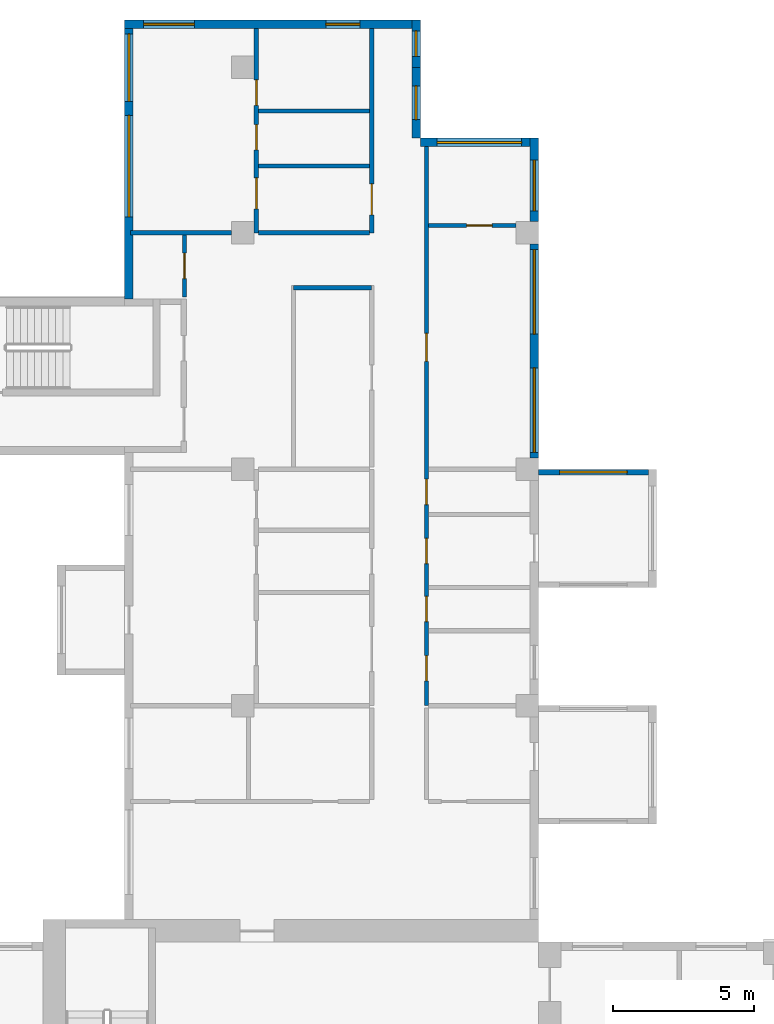
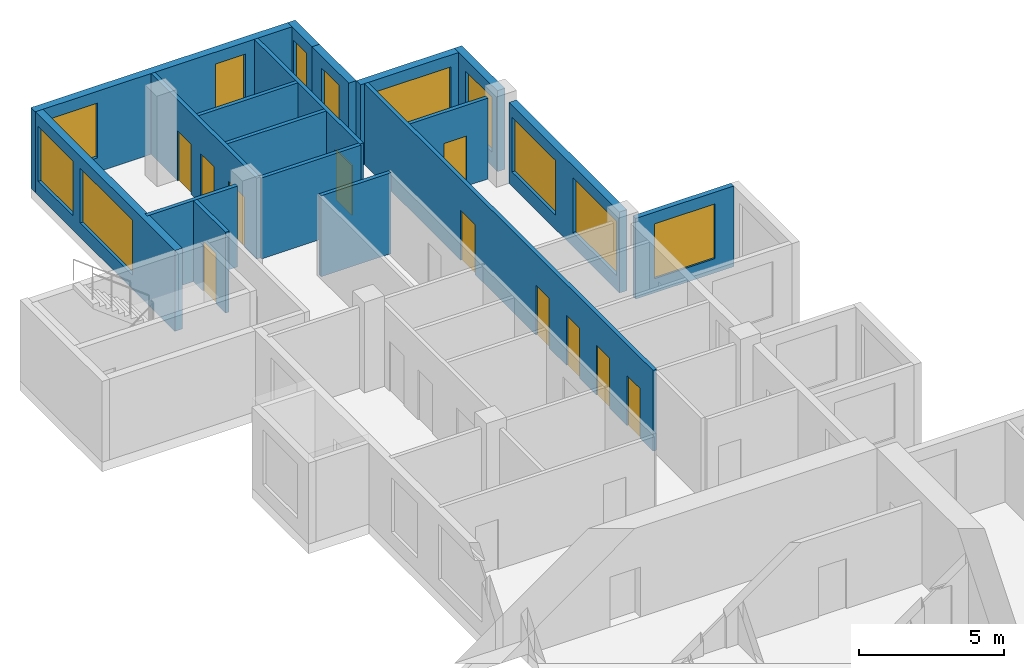
# One storey, part 7 of 11: 18 walls, 11 doors, 11 windows, 22 openings.
"""IFC4 building model written with IfcOpenShell, lengths in metres."""

from ifc_helpers import new_model, si_unit, direction, frame, frame_2d, origin, place, context, subcontext, project, spatial, rectangle, extrude, source, transform, mapped, material, layer, layer_set, type_object, element, fill, save


model = new_model("IFC4")

# Units and contexts
model_context = context("Model", 3, precision=1e-05, world=origin(), true_north=direction((0.0, 1.0)))
body_context = subcontext(model_context, "Body", "Model", "MODEL_VIEW")
ifc_project = project(units=[si_unit("LENGTHUNIT", "METRE"), si_unit("AREAUNIT", "SQUARE_METRE"), si_unit("VOLUMEUNIT", "CUBIC_METRE"), si_unit("PLANEANGLEUNIT", "RADIAN"), si_unit("MASSUNIT", "GRAM", prefix="KILO")], contexts=[model_context])

# Site, building, storey
site_placement = place(None, origin())
site = spatial("IfcSite", under=ifc_project, at=site_placement, CompositionType="ELEMENT")
building_placement = place(site_placement, origin())
building = spatial("IfcBuilding", under=site, at=building_placement, Name="Aurelian Terraces", CompositionType="ELEMENT")
storey_placement = place(building_placement, frame((0.0, 0.0, 257.6)))
storey = spatial("IfcBuildingStorey", under=building, at=storey_placement, Name="L59", CompositionType="ELEMENT", Elevation=257.6)

# Wall, opening, window
ifc_material_1 = material(Name="Terracotta rainscreen cladding", Category="masonry")
ifc_layer_1 = layer(ifc_material_1, 0.3)
ifc_layer_set_1 = layer_set([ifc_layer_1], Name="EW-300")
wall_type_1 = type_object("IfcWallType", Name="EW-300", PredefinedType="STANDARD", material=ifc_layer_set_1)
shared_shape_1 = source(origin(), body_context, "Body", "SweptSolid", [
    extrude(rectangle(XDim=4.2, YDim=0.3, at=frame_2d((2.1, 0.0))), origin(), (0.0, 0.0, 1.0), 3.4),
])
wall_1_placement = place(storey_placement, frame((21.0, 49.41, 0.0), z_axis=(0.0, 0.0, 1.0), x_axis=(-1.0, 0.0, 0.0)))
wall_1 = element("IfcWall", 1, at=wall_1_placement, inside=storey, type_object=wall_type_1, Name="External wall L59 F13.24", PredefinedType="STANDARD", context=body_context, shape_type="MappedRepresentation", body=[
    mapped(shared_shape_1, transform((0.0, 0.0, 0.0), scale=1.0)),
])
shared_shape_2 = source(origin(), body_context, "Body", "SweptSolid", [
    extrude(rectangle(XDim=3.0, YDim=2.3, at=frame_2d((1.5, 1.15))), frame((0.0, 0.16, 0.0), z_axis=(0.0, -1.0, 0.0), x_axis=(1.0, 0.0, 0.0)), (0.0, 0.0, 1.0), 0.32),
])
opening_1_placement = place(wall_1_placement, frame((0.6, 0.0, 0.6)))
opening_1 = element("IfcOpeningElement", 2, at=opening_1_placement, cuts=wall_1, Name="Opening W3023", PredefinedType="OPENING", context=body_context, shape_type="MappedRepresentation", body=[
    mapped(shared_shape_2, transform((0.0, 0.0, 0.0), scale=1.0)),
])
ifc_material_2 = material(Name="Clear glazing", Category="glass")
window_type_1 = type_object("IfcWindowType", Name="W-3000x2300", PartitioningType="SINGLE_PANEL", PredefinedType="WINDOW", material=ifc_material_2)
shared_shape_3 = source(origin(), body_context, "Body", "SweptSolid", [
    extrude(rectangle(XDim=3.0, YDim=2.3, at=frame_2d((1.5, 1.15))), frame((0.0, 0.03, 0.0), z_axis=(0.0, -1.0, 0.0), x_axis=(1.0, 0.0, 0.0)), (0.0, 0.0, 1.0), 0.06),
])
window_1_placement = place(opening_1_placement, origin())
window_1 = element("IfcWindow", 3, at=window_1_placement, inside=storey, type_object=window_type_1, Name="Window L59 L59-F13-24-0", OverallHeight=2.3, OverallWidth=3.0, PartitioningType="SINGLE_PANEL", PredefinedType="WINDOW", context=body_context, shape_type="MappedRepresentation", body=[
    mapped(shared_shape_3, transform((0.0, 0.0, 0.0), scale=1.0)),
])
fill(opening_1, window_1)

shared_shape_4 = source(origin(), body_context, "Body", "SweptSolid", [
    extrude(rectangle(XDim=2.52, YDim=0.3, at=frame_2d((1.26, 0.0))), origin(), (0.0, 0.0, 1.0), 3.4),
])
wall_2_placement = place(storey_placement, frame((16.65, 49.56, 0.0), z_axis=(0.0, 0.0, 1.0), x_axis=(0.0, 1.0, 0.0)))
wall_2 = element("IfcWall", 4, at=wall_2_placement, inside=storey, type_object=wall_type_1, Name="External wall L59 F14.25", PredefinedType="STANDARD", context=body_context, shape_type="MappedRepresentation", body=[
    mapped(shared_shape_4, transform((0.0, 0.0, 0.0), scale=1.0)),
])
shared_shape_5 = source(origin(), body_context, "Body", "SweptSolid", [
    extrude(rectangle(XDim=1.2, YDim=2.3, at=frame_2d((0.6, 1.15))), frame((0.0, 0.16, 0.0), z_axis=(0.0, -1.0, 0.0), x_axis=(1.0, 0.0, 0.0)), (0.0, 0.0, 1.0), 0.32),
])
opening_2_placement = place(wall_2_placement, frame((0.66, 0.0, 0.6)))
opening_2 = element("IfcOpeningElement", 5, at=opening_2_placement, cuts=wall_2, Name="Opening W1223", PredefinedType="OPENING", context=body_context, shape_type="MappedRepresentation", body=[
    mapped(shared_shape_5, transform((0.0, 0.0, 0.0), scale=1.0)),
])
window_type_2 = type_object("IfcWindowType", Name="W-1200x2300", PartitioningType="SINGLE_PANEL", PredefinedType="WINDOW", material=ifc_material_2)
shared_shape_6 = source(origin(), body_context, "Body", "SweptSolid", [
    extrude(rectangle(XDim=1.2, YDim=2.3, at=frame_2d((0.6, 1.15))), frame((0.0, 0.03, 0.0), z_axis=(0.0, -1.0, 0.0), x_axis=(1.0, 0.0, 0.0)), (0.0, 0.0, 1.0), 0.06),
])
window_2_placement = place(opening_2_placement, origin())
window_2 = element("IfcWindow", 6, at=window_2_placement, inside=storey, type_object=window_type_2, Name="Window L59 L59-F14-25-0", OverallHeight=2.3, OverallWidth=1.2, PartitioningType="SINGLE_PANEL", PredefinedType="WINDOW", context=body_context, shape_type="MappedRepresentation", body=[
    mapped(shared_shape_6, transform((0.0, 0.0, 0.0), scale=1.0)),
])
fill(opening_2, window_2)

shared_shape_7 = source(origin(), body_context, "Body", "SweptSolid", [
    extrude(rectangle(XDim=1.68, YDim=0.3, at=frame_2d((0.84, 0.0))), origin(), (0.0, 0.0, 1.0), 3.4),
])
wall_3_placement = place(storey_placement, frame((16.65, 52.08, 0.0), z_axis=(0.0, 0.0, 1.0), x_axis=(0.0, 1.0, 0.0)))
wall_3 = element("IfcWall", 7, at=wall_3_placement, inside=storey, type_object=wall_type_1, Name="External wall L59 F14.26", PredefinedType="STANDARD", context=body_context, shape_type="MappedRepresentation", body=[
    mapped(shared_shape_7, transform((0.0, 0.0, 0.0), scale=1.0)),
])
shared_shape_8 = source(origin(), body_context, "Body", "SweptSolid", [
    extrude(rectangle(XDim=0.9, YDim=2.3, at=frame_2d((0.45, 1.15))), frame((0.0, 0.16, 0.0), z_axis=(0.0, -1.0, 0.0), x_axis=(1.0, 0.0, 0.0)), (0.0, 0.0, 1.0), 0.32),
])
opening_3_placement = place(wall_3_placement, frame((0.39, 0.0, 0.6)))
opening_3 = element("IfcOpeningElement", 8, at=opening_3_placement, cuts=wall_3, Name="Opening W0923", PredefinedType="OPENING", context=body_context, shape_type="MappedRepresentation", body=[
    mapped(shared_shape_8, transform((0.0, 0.0, 0.0), scale=1.0)),
])
window_type_3 = type_object("IfcWindowType", Name="W-900x2300", PartitioningType="SINGLE_PANEL", PredefinedType="WINDOW", material=ifc_material_2)
shared_shape_9 = source(origin(), body_context, "Body", "SweptSolid", [
    extrude(rectangle(XDim=0.9, YDim=2.3, at=frame_2d((0.45, 1.15))), frame((0.0, 0.03, 0.0), z_axis=(0.0, -1.0, 0.0), x_axis=(1.0, 0.0, 0.0)), (0.0, 0.0, 1.0), 0.06),
])
window_3_placement = place(opening_3_placement, origin())
window_3 = element("IfcWindow", 9, at=window_3_placement, inside=storey, type_object=window_type_3, Name="Window L59 L59-F14-26-P0", OverallHeight=2.3, OverallWidth=0.9, PartitioningType="SINGLE_PANEL", PredefinedType="WINDOW", context=body_context, shape_type="MappedRepresentation", body=[
    mapped(shared_shape_9, transform((0.0, 0.0, 0.0), scale=1.0)),
])
fill(opening_3, window_3)

ifc_material_3 = material(Name="Concrete fc' 40 MPa", Category="concrete")
ifc_layer_2 = layer(ifc_material_3, 0.2)
ifc_layer_set_2 = layer_set([ifc_layer_2], Name="BOX BEARING WALL 200")
wall_type_2 = type_object("IfcWallType", Name="BOX BEARING WALL 200", PredefinedType="SOLIDWALL", material=ifc_layer_set_2)
shared_shape_10 = source(origin(), body_context, "Body", "SweptSolid", [
    extrude(rectangle(XDim=3.9, YDim=0.2, at=frame_2d((1.95, 0.0))), origin(), (0.0, 0.0, 1.0), 3.39),
])
wall_4_placement = place(storey_placement, frame((21.0, 37.7, 0.0), z_axis=(0.0, 0.0, 1.0), x_axis=(1.0, 0.0, 0.0)))
wall_4 = element("IfcWall", 10, at=wall_4_placement, inside=storey, type_object=wall_type_2, Name="Box return L59 J87.2", PredefinedType="SOLIDWALL", context=body_context, shape_type="MappedRepresentation", body=[
    mapped(shared_shape_10, transform((0.0, 0.0, 0.0), scale=1.0)),
])
shared_shape_11 = source(origin(), body_context, "Body", "SweptSolid", [
    extrude(rectangle(XDim=2.4, YDim=2.3, at=frame_2d((1.2, 1.15))), frame((0.0, 0.11, 0.0), z_axis=(0.0, -1.0, 0.0), x_axis=(1.0, 0.0, 0.0)), (0.0, 0.0, 1.0), 0.22),
])
opening_4_placement = place(wall_4_placement, frame((0.75, 0.0, 0.6)))
opening_4 = element("IfcOpeningElement", 11, at=opening_4_placement, cuts=wall_4, Name="Opening W2423", PredefinedType="OPENING", context=body_context, shape_type="MappedRepresentation", body=[
    mapped(shared_shape_11, transform((0.0, 0.0, 0.0), scale=1.0)),
])
window_type_4 = type_object("IfcWindowType", Name="W-2400x2300", PartitioningType="SINGLE_PANEL", PredefinedType="WINDOW", material=ifc_material_2)
shared_shape_12 = source(origin(), body_context, "Body", "SweptSolid", [
    extrude(rectangle(XDim=2.4, YDim=2.3, at=frame_2d((1.2, 1.15))), frame((0.0, 0.03, 0.0), z_axis=(0.0, -1.0, 0.0), x_axis=(1.0, 0.0, 0.0)), (0.0, 0.0, 1.0), 0.06),
])
window_4_placement = place(opening_4_placement, origin())
window_4 = element("IfcWindow", 12, at=window_4_placement, inside=storey, type_object=window_type_4, Name="Window L59 J87-S2", OverallHeight=2.3, OverallWidth=2.4, PartitioningType="SINGLE_PANEL", PredefinedType="WINDOW", context=body_context, shape_type="MappedRepresentation", body=[
    mapped(shared_shape_12, transform((0.0, 0.0, 0.0), scale=1.0)),
])
fill(opening_4, window_4)

# Wall, openings, windows
shared_shape_13 = source(origin(), body_context, "Body", "SweptSolid", [
    extrude(rectangle(XDim=10.5, YDim=0.3, at=frame_2d((5.25, 0.0))), origin(), (0.0, 0.0, 1.0), 3.4),
])
wall_5_placement = place(storey_placement, frame((16.8, 53.61, 0.0), z_axis=(0.0, 0.0, 1.0), x_axis=(-1.0, 0.0, 0.0)))
wall_5 = element("IfcWall", 13, at=wall_5_placement, inside=storey, type_object=wall_type_1, Name="External wall L59 F15.27", PredefinedType="STANDARD", context=body_context, shape_type="MappedRepresentation", body=[
    mapped(shared_shape_13, transform((0.0, 0.0, 0.0), scale=1.0)),
])
opening_5_placement = place(wall_5_placement, frame((2.15, 0.0, 0.6)))
opening_5 = element("IfcOpeningElement", 14, at=opening_5_placement, cuts=wall_5, Name="Opening W1223", PredefinedType="OPENING", context=body_context, shape_type="MappedRepresentation", body=[
    mapped(shared_shape_5, transform((0.0, 0.0, 0.0), scale=1.0)),
])
shared_shape_14 = source(origin(), body_context, "Body", "SweptSolid", [
    extrude(rectangle(XDim=1.8, YDim=2.3, at=frame_2d((0.9, 1.15))), frame((0.0, 0.16, 0.0), z_axis=(0.0, -1.0, 0.0), x_axis=(1.0, 0.0, 0.0)), (0.0, 0.0, 1.0), 0.32),
])
opening_6_placement = place(wall_5_placement, frame((8.025, 0.0, 0.6)))
opening_6 = element("IfcOpeningElement", 15, at=opening_6_placement, cuts=wall_5, Name="Opening W1823", PredefinedType="OPENING", context=body_context, shape_type="MappedRepresentation", body=[
    mapped(shared_shape_14, transform((0.0, 0.0, 0.0), scale=1.0)),
])
window_5_placement = place(opening_5_placement, origin())
window_5 = element("IfcWindow", 16, at=window_5_placement, inside=storey, type_object=window_type_2, Name="Window L59 L59-F15-27-0", OverallHeight=2.3, OverallWidth=1.2, PartitioningType="SINGLE_PANEL", PredefinedType="WINDOW", context=body_context, shape_type="MappedRepresentation", body=[
    mapped(shared_shape_6, transform((0.0, 0.0, 0.0), scale=1.0)),
])
fill(opening_5, window_5)
window_type_5 = type_object("IfcWindowType", Name="W-1800x2300", PartitioningType="SINGLE_PANEL", PredefinedType="WINDOW", material=ifc_material_2)
shared_shape_15 = source(origin(), body_context, "Body", "SweptSolid", [
    extrude(rectangle(XDim=1.8, YDim=2.3, at=frame_2d((0.9, 1.15))), frame((0.0, 0.03, 0.0), z_axis=(0.0, -1.0, 0.0), x_axis=(1.0, 0.0, 0.0)), (0.0, 0.0, 1.0), 0.06),
])
window_6_placement = place(opening_6_placement, origin())
window_6 = element("IfcWindow", 17, at=window_6_placement, inside=storey, type_object=window_type_5, Name="Window L59 L59-F15-27-2", OverallHeight=2.3, OverallWidth=1.8, PartitioningType="SINGLE_PANEL", PredefinedType="WINDOW", context=body_context, shape_type="MappedRepresentation", body=[
    mapped(shared_shape_15, transform((0.0, 0.0, 0.0), scale=1.0)),
])
fill(opening_6, window_6)

shared_shape_16 = source(origin(), body_context, "Body", "SweptSolid", [
    extrude(rectangle(XDim=9.91, YDim=0.3, at=frame_2d((4.955, 0.0))), origin(), (0.0, 0.0, 1.0), 3.4),
])
wall_6_placement = place(storey_placement, frame((6.45, 53.76, 0.0), z_axis=(0.0, 0.0, 1.0), x_axis=(0.0, -1.0, 0.0)))
wall_6 = element("IfcWall", 18, at=wall_6_placement, inside=storey, type_object=wall_type_1, Name="External wall L59 F16.28", PredefinedType="STANDARD", context=body_context, shape_type="MappedRepresentation", body=[
    mapped(shared_shape_16, transform((0.0, 0.0, 0.0), scale=1.0)),
])
shared_shape_17 = source(origin(), body_context, "Body", "SweptSolid", [
    extrude(rectangle(XDim=3.6, YDim=2.3, at=frame_2d((1.8, 1.15))), frame((0.0, 0.16, 0.0), z_axis=(0.0, -1.0, 0.0), x_axis=(1.0, 0.0, 0.0)), (0.0, 0.0, 1.0), 0.32),
])
opening_7_placement = place(wall_6_placement, frame((3.39, 0.0, 0.6)))
opening_7 = element("IfcOpeningElement", 19, at=opening_7_placement, cuts=wall_6, Name="Opening W3623", PredefinedType="OPENING", context=body_context, shape_type="MappedRepresentation", body=[
    mapped(shared_shape_17, transform((0.0, 0.0, 0.0), scale=1.0)),
])
shared_shape_18 = source(origin(), body_context, "Body", "SweptSolid", [
    extrude(rectangle(XDim=2.4, YDim=2.3, at=frame_2d((1.2, 1.15))), frame((0.0, 0.16, 0.0), z_axis=(0.0, -1.0, 0.0), x_axis=(1.0, 0.0, 0.0)), (0.0, 0.0, 1.0), 0.32),
])
opening_8_placement = place(wall_6_placement, frame((0.495, 0.0, 0.6)))
opening_8 = element("IfcOpeningElement", 20, at=opening_8_placement, cuts=wall_6, Name="Opening W2423", PredefinedType="OPENING", context=body_context, shape_type="MappedRepresentation", body=[
    mapped(shared_shape_18, transform((0.0, 0.0, 0.0), scale=1.0)),
])
window_type_6 = type_object("IfcWindowType", Name="W-3600x2300", PartitioningType="SINGLE_PANEL", PredefinedType="WINDOW", material=ifc_material_2)
shared_shape_19 = source(origin(), body_context, "Body", "SweptSolid", [
    extrude(rectangle(XDim=3.6, YDim=2.3, at=frame_2d((1.8, 1.15))), frame((0.0, 0.03, 0.0), z_axis=(0.0, -1.0, 0.0), x_axis=(1.0, 0.0, 0.0)), (0.0, 0.0, 1.0), 0.06),
])
window_7_placement = place(opening_7_placement, origin())
window_7 = element("IfcWindow", 21, at=window_7_placement, inside=storey, type_object=window_type_6, Name="Window L59 L59-F16-28-1", OverallHeight=2.3, OverallWidth=3.6, PartitioningType="SINGLE_PANEL", PredefinedType="WINDOW", context=body_context, shape_type="MappedRepresentation", body=[
    mapped(shared_shape_19, transform((0.0, 0.0, 0.0), scale=1.0)),
])
fill(opening_7, window_7)
window_8_placement = place(opening_8_placement, origin())
window_8 = element("IfcWindow", 22, at=window_8_placement, inside=storey, type_object=window_type_4, Name="Window L59 L59-F16-28-G0-0", OverallHeight=2.3, OverallWidth=2.4, PartitioningType="SINGLE_PANEL", PredefinedType="WINDOW", context=body_context, shape_type="MappedRepresentation", body=[
    mapped(shared_shape_12, transform((0.0, 0.0, 0.0), scale=1.0)),
])
fill(opening_8, window_8)

shared_shape_20 = source(origin(), body_context, "Body", "SweptSolid", [
    extrude(rectangle(XDim=7.6, YDim=0.3, at=frame_2d((3.8, 0.0))), origin(), (0.0, 0.0, 1.0), 3.4),
])
wall_7_placement = place(storey_placement, frame((20.85, 38.2, 0.0), z_axis=(0.0, 0.0, 1.0), x_axis=(0.0, 1.0, 0.0)))
wall_7 = element("IfcWall", 23, at=wall_7_placement, inside=storey, type_object=wall_type_1, Name="External wall L59 F12.22", PredefinedType="STANDARD", context=body_context, shape_type="MappedRepresentation", body=[
    mapped(shared_shape_20, transform((0.0, 0.0, 0.0), scale=1.0)),
])
opening_9_placement = place(wall_7_placement, frame((0.2, 0.0, 0.6)))
opening_9 = element("IfcOpeningElement", 24, at=opening_9_placement, cuts=wall_7, Name="Opening W3023", PredefinedType="OPENING", context=body_context, shape_type="MappedRepresentation", body=[
    mapped(shared_shape_2, transform((0.0, 0.0, 0.0), scale=1.0)),
])
opening_10_placement = place(wall_7_placement, frame((4.4, 0.0, 0.6)))
opening_10 = element("IfcOpeningElement", 25, at=opening_10_placement, cuts=wall_7, Name="Opening W3023", PredefinedType="OPENING", context=body_context, shape_type="MappedRepresentation", body=[
    mapped(shared_shape_2, transform((0.0, 0.0, 0.0), scale=1.0)),
])
window_9_placement = place(opening_9_placement, origin())
window_9 = element("IfcWindow", 26, at=window_9_placement, inside=storey, type_object=window_type_1, Name="Window L59 L59-F12-22-0", OverallHeight=2.3, OverallWidth=3.0, PartitioningType="SINGLE_PANEL", PredefinedType="WINDOW", context=body_context, shape_type="MappedRepresentation", body=[
    mapped(shared_shape_3, transform((0.0, 0.0, 0.0), scale=1.0)),
])
fill(opening_9, window_9)
window_10_placement = place(opening_10_placement, origin())
window_10 = element("IfcWindow", 27, at=window_10_placement, inside=storey, type_object=window_type_1, Name="Window L59 L59-F12-22-1", OverallHeight=2.3, OverallWidth=3.0, PartitioningType="SINGLE_PANEL", PredefinedType="WINDOW", context=body_context, shape_type="MappedRepresentation", body=[
    mapped(shared_shape_3, transform((0.0, 0.0, 0.0), scale=1.0)),
])
fill(opening_10, window_10)

# Wall, opening, window
shared_shape_21 = source(origin(), body_context, "Body", "SweptSolid", [
    extrude(rectangle(XDim=2.96, YDim=0.3, at=frame_2d((1.48, 0.0))), origin(), (0.0, 0.0, 1.0), 3.4),
])
wall_8_placement = place(storey_placement, frame((20.85, 46.6, 0.0), z_axis=(0.0, 0.0, 1.0), x_axis=(0.0, 1.0, 0.0)))
wall_8 = element("IfcWall", 28, at=wall_8_placement, inside=storey, type_object=wall_type_1, Name="External wall L59 F12.23", PredefinedType="STANDARD", context=body_context, shape_type="MappedRepresentation", body=[
    mapped(shared_shape_21, transform((0.0, 0.0, 0.0), scale=1.0)),
])
opening_11_placement = place(wall_8_placement, frame((0.38, 0.0, 0.6)))
opening_11 = element("IfcOpeningElement", 29, at=opening_11_placement, cuts=wall_8, Name="Opening W1823", PredefinedType="OPENING", context=body_context, shape_type="MappedRepresentation", body=[
    mapped(shared_shape_14, transform((0.0, 0.0, 0.0), scale=1.0)),
])
window_11_placement = place(opening_11_placement, origin())
window_11 = element("IfcWindow", 30, at=window_11_placement, inside=storey, type_object=window_type_5, Name="Window L59 L59-F12-23-0", OverallHeight=2.3, OverallWidth=1.8, PartitioningType="SINGLE_PANEL", PredefinedType="WINDOW", context=body_context, shape_type="MappedRepresentation", body=[
    mapped(shared_shape_15, transform((0.0, 0.0, 0.0), scale=1.0)),
])
fill(opening_11, window_11)

# Wall, opening, door
ifc_material_4 = material(Name="Gypsum board on steel studs", Category="steel")
ifc_layer_3 = layer(ifc_material_4, 0.15)
ifc_layer_set_3 = layer_set([ifc_layer_3], Name="Partition 150")
wall_type_3 = type_object("IfcWallType", Name="Partition 150", PredefinedType="PARTITIONING", material=ifc_layer_set_3)
shared_shape_22 = source(origin(), body_context, "Body", "SweptSolid", [
    extrude(rectangle(XDim=2.2, YDim=0.15, at=frame_2d((1.1, 0.0))), origin(), (0.0, 0.0, 1.0), 3.4),
])
wall_9_placement = place(storey_placement, frame((8.425, 43.925, 0.0), z_axis=(0.0, 0.0, 1.0), x_axis=(0.0, 1.0, 0.0)))
wall_9 = element("IfcWall", 31, at=wall_9_placement, inside=storey, type_object=wall_type_3, Name="Partition", PredefinedType="PARTITIONING", context=body_context, shape_type="MappedRepresentation", body=[
    mapped(shared_shape_22, transform((0.0, 0.0, 0.0), scale=1.0)),
])
shared_shape_23 = source(origin(), body_context, "Body", "SweptSolid", [
    extrude(rectangle(XDim=0.9, YDim=2.1, at=frame_2d((0.45, 1.05))), frame((0.0, 0.085, 0.0), z_axis=(0.0, -1.0, 0.0), x_axis=(1.0, 0.0, 0.0)), (0.0, 0.0, 1.0), 0.17),
])
opening_12_placement = place(wall_9_placement, frame((0.65, 0.0, 0.0)))
opening_12 = element("IfcOpeningElement", 32, at=opening_12_placement, cuts=wall_9, Name="Opening 759019", PredefinedType="OPENING", context=body_context, shape_type="MappedRepresentation", body=[
    mapped(shared_shape_23, transform((0.0, 0.0, 0.0), scale=1.0)),
])
ifc_material_5 = material(Name="Timber door leaf", Category="wood")
door_type_1 = type_object("IfcDoorType", Name="Room door 900x2100 left", OperationType="SINGLE_SWING_LEFT", PredefinedType="DOOR", material=ifc_material_5)
shared_shape_24 = source(origin(), body_context, "Body", "SweptSolid", [
    extrude(rectangle(XDim=0.9, YDim=2.1, at=frame_2d((0.45, 1.05))), frame((0.0, 0.025, 0.0), z_axis=(0.0, -1.0, 0.0), x_axis=(1.0, 0.0, 0.0)), (0.0, 0.0, 1.0), 0.05),
])
door_1_placement = place(opening_12_placement, origin())
door_1 = element("IfcDoor", 33, at=door_1_placement, inside=storey, type_object=door_type_1, Name="Door 759019", OperationType="SINGLE_SWING_LEFT", OverallHeight=2.1, OverallWidth=0.9, PredefinedType="DOOR", context=body_context, shape_type="MappedRepresentation", body=[
    mapped(shared_shape_24, transform((0.0, 0.0, 0.0), scale=1.0)),
])
fill(opening_12, door_1)

# Wall, openings, doors
shared_shape_25 = source(origin(), body_context, "Body", "SweptSolid", [
    extrude(rectangle(XDim=7.26, YDim=0.15, at=frame_2d((3.63, 0.0))), origin(), (0.0, 0.0, 1.0), 3.4),
])
wall_10_placement = place(storey_placement, frame((10.975, 46.2, 0.0), z_axis=(0.0, 0.0, 1.0), x_axis=(0.0, 1.0, 0.0)))
wall_10 = element("IfcWall", 34, at=wall_10_placement, inside=storey, type_object=wall_type_3, Name="Partition", PredefinedType="PARTITIONING", context=body_context, shape_type="MappedRepresentation", body=[
    mapped(shared_shape_25, transform((0.0, 0.0, 0.0), scale=1.0)),
])
shared_shape_26 = source(origin(), body_context, "Body", "SweptSolid", [
    extrude(rectangle(XDim=1.1, YDim=2.1, at=frame_2d((0.55, 1.05))), frame((0.0, 0.085, 0.0), z_axis=(0.0, -1.0, 0.0), x_axis=(1.0, 0.0, 0.0)), (0.0, 0.0, 1.0), 0.17),
])
opening_13_placement = place(wall_10_placement, frame((0.8474, 0.0, 0.0)))
opening_13 = element("IfcOpeningElement", 35, at=opening_13_placement, cuts=wall_10, Name="Opening 759026", PredefinedType="OPENING", context=body_context, shape_type="MappedRepresentation", body=[
    mapped(shared_shape_26, transform((0.0, 0.0, 0.0), scale=1.0)),
])
opening_14_placement = place(wall_10_placement, frame((2.9464, 0.0, 0.0)))
opening_14 = element("IfcOpeningElement", 36, at=opening_14_placement, cuts=wall_10, Name="Opening 759027", PredefinedType="OPENING", context=body_context, shape_type="MappedRepresentation", body=[
    mapped(shared_shape_23, transform((0.0, 0.0, 0.0), scale=1.0)),
])
opening_15_placement = place(wall_10_placement, frame((4.529, 0.0, 0.0)))
opening_15 = element("IfcOpeningElement", 37, at=opening_15_placement, cuts=wall_10, Name="Opening 759028", PredefinedType="OPENING", context=body_context, shape_type="MappedRepresentation", body=[
    mapped(shared_shape_23, transform((0.0, 0.0, 0.0), scale=1.0)),
])
door_type_2 = type_object("IfcDoorType", Name="Room door 900x2100 right", OperationType="SINGLE_SWING_RIGHT", PredefinedType="DOOR", material=ifc_material_5)
door_2_placement = place(opening_14_placement, origin())
door_2 = element("IfcDoor", 38, at=door_2_placement, inside=storey, type_object=door_type_2, Name="Door 759027", OperationType="SINGLE_SWING_RIGHT", OverallHeight=2.1, OverallWidth=0.9, PredefinedType="DOOR", context=body_context, shape_type="MappedRepresentation", body=[
    mapped(shared_shape_24, transform((0.0, 0.0, 0.0), scale=1.0)),
])
fill(opening_14, door_2)
door_3_placement = place(opening_15_placement, origin())
door_3 = element("IfcDoor", 39, at=door_3_placement, inside=storey, type_object=door_type_1, Name="Door 759028", OperationType="SINGLE_SWING_LEFT", OverallHeight=2.1, OverallWidth=0.9, PredefinedType="DOOR", context=body_context, shape_type="MappedRepresentation", body=[
    mapped(shared_shape_24, transform((0.0, 0.0, 0.0), scale=1.0)),
])
fill(opening_15, door_3)
door_type_3 = type_object("IfcDoorType", Name="Room door 1100x2100 left", OperationType="SINGLE_SWING_LEFT", PredefinedType="DOOR", material=ifc_material_5)
shared_shape_27 = source(origin(), body_context, "Body", "SweptSolid", [
    extrude(rectangle(XDim=1.1, YDim=2.1, at=frame_2d((0.55, 1.05))), frame((0.0, 0.025, 0.0), z_axis=(0.0, -1.0, 0.0), x_axis=(1.0, 0.0, 0.0)), (0.0, 0.0, 1.0), 0.05),
])
door_4_placement = place(opening_13_placement, origin())
door_4 = element("IfcDoor", 40, at=door_4_placement, inside=storey, type_object=door_type_3, Name="Door 759026", OperationType="SINGLE_SWING_LEFT", OverallHeight=2.1, OverallWidth=1.1, PredefinedType="DOOR", context=body_context, shape_type="MappedRepresentation", body=[
    mapped(shared_shape_27, transform((0.0, 0.0, 0.0), scale=1.0)),
])
fill(opening_13, door_4)

# Wall, opening, door
ifc_layer_4 = layer(ifc_material_4, 0.15)
ifc_layer_set_4 = layer_set([ifc_layer_4], Name="Fire partition 150")
wall_type_4 = type_object("IfcWallType", Name="Fire partition 150", PredefinedType="PARTITIONING", material=ifc_layer_set_4)
wall_11_placement = place(storey_placement, frame((15.075, 46.2, 0.0), z_axis=(0.0, 0.0, 1.0), x_axis=(0.0, 1.0, 0.0)))
wall_11 = element("IfcWall", 41, at=wall_11_placement, inside=storey, type_object=wall_type_4, Name="Corridor wall", PredefinedType="PARTITIONING", context=body_context, shape_type="MappedRepresentation", body=[
    mapped(shared_shape_25, transform((0.0, 0.0, 0.0), scale=1.0)),
])
opening_16_placement = place(wall_11_placement, frame((0.6349, 0.0, 0.0)))
opening_16 = element("IfcOpeningElement", 42, at=opening_16_placement, cuts=wall_11, Name="Opening 759025", PredefinedType="OPENING", context=body_context, shape_type="MappedRepresentation", body=[
    mapped(shared_shape_26, transform((0.0, 0.0, 0.0), scale=1.0)),
])
ifc_material_6 = material(Name="Steel door leaf", Category="steel")
door_type_4 = type_object("IfcDoorType", Name="Entrance fire door 1100x2100 right", OperationType="SINGLE_SWING_RIGHT", PredefinedType="DOOR", material=ifc_material_6)
door_5_placement = place(opening_16_placement, origin())
door_5 = element("IfcDoor", 43, at=door_5_placement, inside=storey, type_object=door_type_4, Name="Door 759025", OperationType="SINGLE_SWING_RIGHT", OverallHeight=2.1, OverallWidth=1.1, PredefinedType="DOOR", context=body_context, shape_type="MappedRepresentation", body=[
    mapped(shared_shape_27, transform((0.0, 0.0, 0.0), scale=1.0)),
])
fill(opening_16, door_5)

# Wall, openings, doors
shared_shape_28 = source(origin(), body_context, "Body", "SweptSolid", [
    extrude(rectangle(XDim=19.86, YDim=0.15, at=frame_2d((9.93, 0.0))), origin(), (0.0, 0.0, 1.0), 3.4),
])
wall_12_placement = place(storey_placement, frame((17.025, 49.26, 0.0), z_axis=(0.0, 0.0, 1.0), x_axis=(0.0, -1.0, 0.0)))
wall_12 = element("IfcWall", 44, at=wall_12_placement, inside=storey, type_object=wall_type_4, Name="Corridor wall", PredefinedType="PARTITIONING", context=body_context, shape_type="MappedRepresentation", body=[
    mapped(shared_shape_28, transform((0.0, 0.0, 0.0), scale=1.0)),
])
opening_17_placement = place(wall_12_placement, frame((18.0765, 0.0, 0.0)))
opening_17 = element("IfcOpeningElement", 45, at=opening_17_placement, cuts=wall_12, Name="Opening 759029", PredefinedType="OPENING", context=body_context, shape_type="MappedRepresentation", body=[
    mapped(shared_shape_23, transform((0.0, 0.0, 0.0), scale=1.0)),
])
opening_18_placement = place(wall_12_placement, frame((15.9765, 0.0, 0.0)))
opening_18 = element("IfcOpeningElement", 46, at=opening_18_placement, cuts=wall_12, Name="Opening 759030", PredefinedType="OPENING", context=body_context, shape_type="MappedRepresentation", body=[
    mapped(shared_shape_23, transform((0.0, 0.0, 0.0), scale=1.0)),
])
opening_19_placement = place(wall_12_placement, frame((13.913, 0.0, 0.0)))
opening_19 = element("IfcOpeningElement", 47, at=opening_19_placement, cuts=wall_12, Name="Opening 759031", PredefinedType="OPENING", context=body_context, shape_type="MappedRepresentation", body=[
    mapped(shared_shape_23, transform((0.0, 0.0, 0.0), scale=1.0)),
])
opening_20_placement = place(wall_12_placement, frame((11.813, 0.0, 0.0)))
opening_20 = element("IfcOpeningElement", 48, at=opening_20_placement, cuts=wall_12, Name="Opening 759032", PredefinedType="OPENING", context=body_context, shape_type="MappedRepresentation", body=[
    mapped(shared_shape_23, transform((0.0, 0.0, 0.0), scale=1.0)),
])
shared_shape_29 = source(origin(), body_context, "Body", "SweptSolid", [
    extrude(rectangle(XDim=1.0, YDim=2.1, at=frame_2d((0.5, 1.05))), frame((0.0, 0.085, 0.0), z_axis=(0.0, -1.0, 0.0), x_axis=(1.0, 0.0, 0.0)), (0.0, 0.0, 1.0), 0.17),
])
opening_21_placement = place(wall_12_placement, frame((6.63, 0.0, 0.0)))
opening_21 = element("IfcOpeningElement", 49, at=opening_21_placement, cuts=wall_12, Name="Opening 759033", PredefinedType="OPENING", context=body_context, shape_type="MappedRepresentation", body=[
    mapped(shared_shape_29, transform((0.0, 0.0, 0.0), scale=1.0)),
])
door_type_5 = type_object("IfcDoorType", Name="Entrance fire door 1000x2100 right", OperationType="SINGLE_SWING_RIGHT", PredefinedType="DOOR", material=ifc_material_6)
shared_shape_30 = source(origin(), body_context, "Body", "SweptSolid", [
    extrude(rectangle(XDim=1.0, YDim=2.1, at=frame_2d((0.5, 1.05))), frame((0.0, 0.025, 0.0), z_axis=(0.0, -1.0, 0.0), x_axis=(1.0, 0.0, 0.0)), (0.0, 0.0, 1.0), 0.05),
])
door_6_placement = place(opening_21_placement, origin())
door_6 = element("IfcDoor", 50, at=door_6_placement, inside=storey, type_object=door_type_5, Name="Door 759033", OperationType="SINGLE_SWING_RIGHT", OverallHeight=2.1, OverallWidth=1.0, PredefinedType="DOOR", context=body_context, shape_type="MappedRepresentation", body=[
    mapped(shared_shape_30, transform((0.0, 0.0, 0.0), scale=1.0)),
])
fill(opening_21, door_6)
door_type_6 = type_object("IfcDoorType", Name="Entrance fire door 900x2100 right", OperationType="SINGLE_SWING_RIGHT", PredefinedType="DOOR", material=ifc_material_6)
door_7_placement = place(opening_17_placement, origin())
door_7 = element("IfcDoor", 51, at=door_7_placement, inside=storey, type_object=door_type_6, Name="Door 759029", OperationType="SINGLE_SWING_RIGHT", OverallHeight=2.1, OverallWidth=0.9, PredefinedType="DOOR", context=body_context, shape_type="MappedRepresentation", body=[
    mapped(shared_shape_24, transform((0.0, 0.0, 0.0), scale=1.0)),
])
fill(opening_17, door_7)
door_type_7 = type_object("IfcDoorType", Name="Entrance fire door 900x2100 left", OperationType="SINGLE_SWING_LEFT", PredefinedType="DOOR", material=ifc_material_6)
door_8_placement = place(opening_18_placement, origin())
door_8 = element("IfcDoor", 52, at=door_8_placement, inside=storey, type_object=door_type_7, Name="Door 759030", OperationType="SINGLE_SWING_LEFT", OverallHeight=2.1, OverallWidth=0.9, PredefinedType="DOOR", context=body_context, shape_type="MappedRepresentation", body=[
    mapped(shared_shape_24, transform((0.0, 0.0, 0.0), scale=1.0)),
])
fill(opening_18, door_8)
door_9_placement = place(opening_19_placement, origin())
door_9 = element("IfcDoor", 53, at=door_9_placement, inside=storey, type_object=door_type_6, Name="Door 759031", OperationType="SINGLE_SWING_RIGHT", OverallHeight=2.1, OverallWidth=0.9, PredefinedType="DOOR", context=body_context, shape_type="MappedRepresentation", body=[
    mapped(shared_shape_24, transform((0.0, 0.0, 0.0), scale=1.0)),
])
fill(opening_19, door_9)
door_10_placement = place(opening_20_placement, origin())
door_10 = element("IfcDoor", 54, at=door_10_placement, inside=storey, type_object=door_type_7, Name="Door 759032", OperationType="SINGLE_SWING_LEFT", OverallHeight=2.1, OverallWidth=0.9, PredefinedType="DOOR", context=body_context, shape_type="MappedRepresentation", body=[
    mapped(shared_shape_24, transform((0.0, 0.0, 0.0), scale=1.0)),
])
fill(opening_20, door_10)

# Walls
shared_shape_31 = source(origin(), body_context, "Body", "SweptSolid", [
    extrude(rectangle(XDim=2.775, YDim=0.15, at=frame_2d((1.3875, 0.0))), origin(), (0.0, 0.0, 1.0), 3.4),
])
wall_13_placement = place(storey_placement, frame((15.075, 44.25, 0.0), z_axis=(0.0, 0.0, 1.0), x_axis=(-1.0, 0.0, 0.0)))
element("IfcWall", 55, at=wall_13_placement, inside=storey, type_object=wall_type_3, Name="Partition", PredefinedType="PARTITIONING", context=body_context, shape_type="MappedRepresentation", body=[
    mapped(shared_shape_31, transform((0.0, 0.0, 0.0), scale=1.0)),
])
shared_shape_32 = source(origin(), body_context, "Body", "SweptSolid", [
    extrude(rectangle(XDim=3.95, YDim=0.15, at=frame_2d((1.975, 0.0))), origin(), (0.0, 0.0, 1.0), 3.4),
])
for number, where, z_axis, x_axis, name in (
    (56, (15.0, 48.5699, 0.0), (0.0, 0.0, 1.0), (-1.0, 0.0, 0.0), "Partition"),
    (57, (15.0, 50.5229, 0.0), (0.0, 0.0, 1.0), (-1.0, 0.0, 0.0), "Partition"),
):
    element("IfcWall", number, at=place(storey_placement, frame(where, z_axis=z_axis, x_axis=x_axis)), inside=storey, type_object=wall_type_3, Name=name, PredefinedType="PARTITIONING", context=body_context, shape_type="MappedRepresentation", body=[
        mapped(shared_shape_32, transform((0.0, 0.0, 0.0), scale=1.0)),
    ])
wall_14_placement = place(storey_placement, frame((15.0, 46.2, 0.0), z_axis=(0.0, 0.0, 1.0), x_axis=(-1.0, 0.0, 0.0)))
element("IfcWall", 58, at=wall_14_placement, inside=storey, type_object=wall_type_4, Name="Party wall", PredefinedType="PARTITIONING", context=body_context, shape_type="MappedRepresentation", body=[
    mapped(shared_shape_32, transform((0.0, 0.0, 0.0), scale=1.0)),
])

# Wall, opening, door
shared_shape_33 = source(origin(), body_context, "Body", "SweptSolid", [
    extrude(rectangle(XDim=3.101, YDim=0.15, at=frame_2d((1.5505, 0.0))), origin(), (0.0, 0.0, 1.0), 3.4),
])
wall_15_placement = place(storey_placement, frame((17.1, 46.46, 0.0), z_axis=(0.0, 0.0, 1.0), x_axis=(1.0, 0.0, 0.0)))
wall_15 = element("IfcWall", 59, at=wall_15_placement, inside=storey, type_object=wall_type_3, Name="Partition", PredefinedType="PARTITIONING", context=body_context, shape_type="MappedRepresentation", body=[
    mapped(shared_shape_33, transform((0.0, 0.0, 0.0), scale=1.0)),
])
opening_22_placement = place(wall_15_placement, frame((1.35, 0.0, 0.0)))
opening_22 = element("IfcOpeningElement", 60, at=opening_22_placement, cuts=wall_15, Name="Opening 759034", PredefinedType="OPENING", context=body_context, shape_type="MappedRepresentation", body=[
    mapped(shared_shape_23, transform((0.0, 0.0, 0.0), scale=1.0)),
])
door_11_placement = place(opening_22_placement, origin())
door_11 = element("IfcDoor", 61, at=door_11_placement, inside=storey, type_object=door_type_1, Name="Door 759034", OperationType="SINGLE_SWING_LEFT", OverallHeight=2.1, OverallWidth=0.9, PredefinedType="DOOR", context=body_context, shape_type="MappedRepresentation", body=[
    mapped(shared_shape_24, transform((0.0, 0.0, 0.0), scale=1.0)),
])
fill(opening_22, door_11)

# Wall
shared_shape_34 = source(origin(), body_context, "Body", "SweptSolid", [
    extrude(rectangle(XDim=3.596, YDim=0.15, at=frame_2d((1.798, 0.0))), origin(), (0.0, 0.0, 1.0), 3.4),
])
wall_16_placement = place(storey_placement, frame((10.101, 46.2, 0.0), z_axis=(0.0, 0.0, 1.0), x_axis=(-1.0, 0.0, 0.0)))
element("IfcWall", 62, at=wall_16_placement, inside=storey, type_object=wall_type_4, Name="Party wall", PredefinedType="PARTITIONING", context=body_context, shape_type="MappedRepresentation", body=[
    mapped(shared_shape_34, transform((0.0, 0.0, 0.0), scale=1.0)),
])

save(model, "model.ifc")
